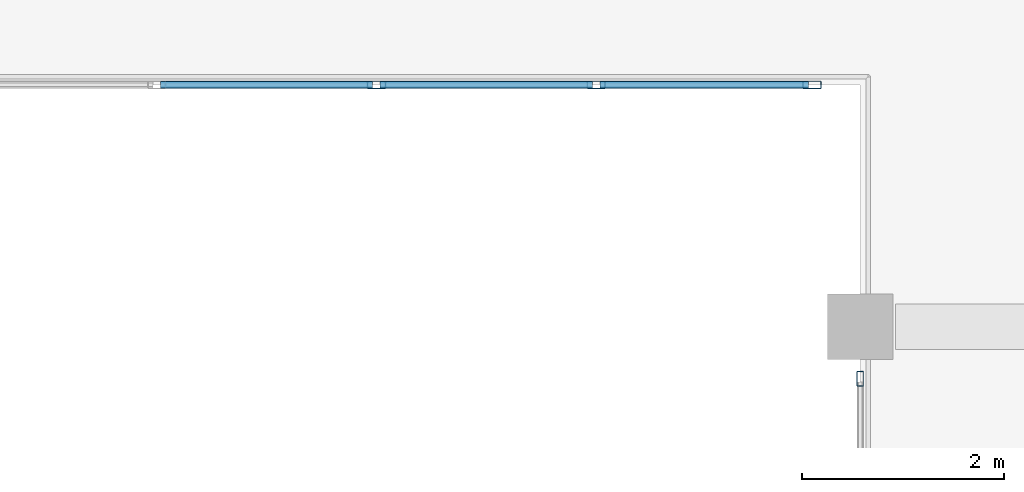
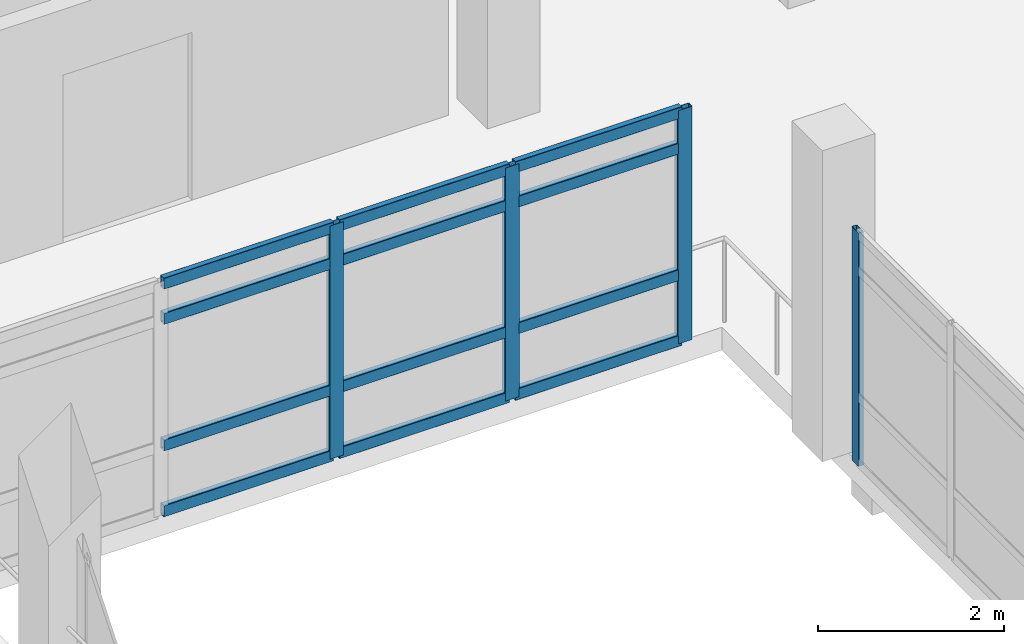
# One storey, part 70 of 134: 16 members, 2 elements without a shape of their own.
"""IFC4 building model written with IfcOpenShell, lengths in metres."""

import ifcopenshell
import ifcopenshell.guid

model = None  # the IFC model being written
_history = None  # IfcOwnerHistory: only IFC2X3 demands one
_inside = {}  # id of a spatial element -> (the spatial element, [elements in it])
_under = {}  # id of a project, library or spatial element -> (it, [spatial elements below it])
_declared = {}  # id of a project -> (the project, [libraries it declares])
_typed = {}  # id of a type object -> (the type object, [elements of that type])
_made_of = {}  # id of a material, layer set ... -> (it, [elements and type objects made of it])


def new_model(schema):
    """Start an empty IFC model of exactly this schema.

    Asked for "IFC4X3", IfcOpenShell would pick the latest addendum, in which some entities
    have other attributes; the version numbers below select the first issue.
    IFC2X3 requires an IfcOwnerHistory on every rooted entity: one is made here for all.
    """
    global model, _history
    if schema == "IFC4X3":
        model = ifcopenshell.file(schema_version=(4, 3, 0, 0))
    else:
        model = ifcopenshell.file(schema=schema)
    _inside.clear()
    _under.clear()
    _declared.clear()
    _typed.clear()
    _made_of.clear()
    _history = None
    if model.schema == "IFC2X3":
        org = make("IfcOrganization", Name="unknown")
        user = make(
            "IfcPersonAndOrganization",
            ThePerson=make("IfcPerson", FamilyName="unknown"),
            TheOrganization=org,
        )
        app = make(
            "IfcApplication",
            ApplicationDeveloper=org,
            Version="unknown",
            ApplicationFullName="unknown",
            ApplicationIdentifier="unknown",
        )
        _history = make(
            "IfcOwnerHistory",
            OwningUser=user,
            OwningApplication=app,
            ChangeAction="ADDED",
            CreationDate=0,
        )
    return model


def make(cls, **values):
    """One entity of the class cls with the attributes given. An attribute that is None is left unset."""
    return model.create_entity(
        cls, **{name: value for name, value in values.items() if value is not None}
    )


def rooted(cls, **values):
    """An entity with a GlobalId (a new one), such as an element, a storey or a relation."""
    return make(cls, GlobalId=ifcopenshell.guid.new(), OwnerHistory=_history, **values)


def si_unit(unit_type, name, prefix=None):
    """IfcSIUnit, for example si_unit("LENGTHUNIT", "METRE", prefix="MILLI")."""
    return make("IfcSIUnit", UnitType=unit_type, Prefix=prefix, Name=name)


def assignment(units):
    """IfcUnitAssignment: the units of a project."""
    return None if units is None else make("IfcUnitAssignment", Units=units)


def point(xyz):
    """IfcCartesianPoint."""
    return None if xyz is None else make("IfcCartesianPoint", Coordinates=xyz)


def direction(xyz):
    """IfcDirection."""
    return None if xyz is None else make("IfcDirection", DirectionRatios=xyz)


def frame(location, z_axis=None, x_axis=None):
    """IfcAxis2Placement3D, a coordinate frame: its origin and axes. An axis left out is left unset."""
    return make(
        "IfcAxis2Placement3D",
        Location=point(location),
        Axis=direction(z_axis),
        RefDirection=direction(x_axis),
    )


def frame_2d(location, x_axis=None):
    """IfcAxis2Placement2D, a coordinate frame in the plane: its origin and x axis."""
    return make(
        "IfcAxis2Placement2D", Location=point(location), RefDirection=direction(x_axis)
    )


def origin():
    """The frame at (0, 0, 0) with its axes left unset."""
    return frame((0.0, 0.0, 0.0))


def origin_2d():
    """The frame at (0, 0) in the plane with its x axis left unset."""
    return frame_2d((0.0, 0.0))


def place(relative_to, where):
    """IfcLocalPlacement: puts the frame where relative to a parent placement (None: the world)."""
    return make(
        "IfcLocalPlacement", PlacementRelTo=relative_to, RelativePlacement=where
    )


def context(
    kind, dimensions, precision=None, world=None, true_north=None, identifier=None
):
    """IfcGeometricRepresentationContext, for example the 3D "Model" context."""
    return make(
        "IfcGeometricRepresentationContext",
        ContextIdentifier=identifier,
        ContextType=kind,
        CoordinateSpaceDimension=dimensions,
        Precision=precision,
        WorldCoordinateSystem=world,
        TrueNorth=true_north,
    )


def subcontext(parent, identifier, kind, view, scale=None):
    """IfcGeometricRepresentationSubContext, for example "Body" below "Model"."""
    return make(
        "IfcGeometricRepresentationSubContext",
        ContextIdentifier=identifier,
        ContextType=kind,
        ParentContext=parent,
        TargetScale=scale,
        TargetView=view,
    )


def project(units=None, contexts=None):
    """IfcProject with its units and contexts."""
    return rooted(
        "IfcProject",
        Name="project",
        RepresentationContexts=contexts,
        UnitsInContext=assignment(units),
    )


def spatial(cls, under=None, at=None, **own):
    """A site, building, storey or space (cls), placed at a placement, below another one or the project."""
    s = rooted(cls, ObjectPlacement=at, **own)
    if under is not None:
        _under.setdefault(under.id(), (under, []))[1].append(s)
    return s


def profile(cls, at=None, kind="AREA", **sizes):
    """A parametric profile (cls). Its sizes go by their IFC names, for example OverallWidth=200.0."""
    return make(cls, ProfileType=kind, Position=at, **sizes)


def hollow_rectangle(**sizes):
    """IfcRectangleHollowProfileDef."""
    return profile("IfcRectangleHollowProfileDef", **sizes)


def extrude(swept, where, along, depth):
    """IfcExtrudedAreaSolid: the profile swept, set in the frame where, extruded along a direction by depth."""
    return make(
        "IfcExtrudedAreaSolid",
        SweptArea=swept,
        Position=where,
        ExtrudedDirection=direction(along),
        Depth=depth,
    )


def shape(context_of_items, identifier, shape_type, items):
    """IfcShapeRepresentation: the items that make up one representation, for example the "Body"."""
    return make(
        "IfcShapeRepresentation",
        ContextOfItems=context_of_items,
        RepresentationIdentifier=identifier,
        RepresentationType=shape_type,
        Items=items,
    )


def material(Name=None, Category=None):
    """IfcMaterial."""
    return make("IfcMaterial", Name=Name, Category=Category)


def layer(
    of_material, thickness, ventilated=None, Name=None, Category=None, Priority=None
):
    """IfcMaterialLayer: one layer of a wall or slab, of a material (None: an air gap)."""
    return make(
        "IfcMaterialLayer",
        Material=of_material,
        LayerThickness=thickness,
        IsVentilated=ventilated,
        Name=Name,
        Category=Category,
        Priority=Priority,
    )


def layer_set(layers, Name=None):
    """IfcMaterialLayerSet."""
    return make("IfcMaterialLayerSet", MaterialLayers=layers, LayerSetName=Name)


def material_profile(
    of_material, cross_section, Name=None, Category=None, Priority=None
):
    """IfcMaterialProfile: a cross section and its material."""
    return make(
        "IfcMaterialProfile",
        Name=Name,
        Material=of_material,
        Profile=cross_section,
        Priority=Priority,
        Category=Category,
    )


def profile_set(profiles, Name=None, composite=None):
    """IfcMaterialProfileSet."""
    return make(
        "IfcMaterialProfileSet",
        Name=Name,
        MaterialProfiles=profiles,
        CompositeProfile=composite,
    )


def made_of(thing, what):
    """Note that an element or type object is made of a material, layer set ...; save() writes the relation."""
    if what is not None:
        _made_of.setdefault(what.id(), (what, []))[1].append(thing)
    return thing


def type_object(cls, material=None, **own):
    """A type object (cls), such as IfcWallType, which elements share."""
    return made_of(rooted(cls, **own), material)


def element(
    cls,
    number,
    at=None,
    inside=None,
    cuts=None,
    type_object=None,
    material=None,
    context=None,
    identifier="Body",
    shape_type=None,
    held_by="IfcProductDefinitionShape",
    body=None,
    shapes=None,
    **own,
):
    """One element of the class cls, such as IfcWall. Its Tag is "e" and its number.

    at: its placement. inside: the storey or other place that contains it. cuts: it is an
    opening in that element (IfcRelVoidsElement). A single representation is given by context,
    identifier, shape_type and body (its items); several are given by shapes. held_by: the class
    of the entity that holds the representations. save() writes the other relations.
    """
    e = rooted(cls, Tag="e%d" % number, ObjectPlacement=at, **own)
    if body is not None:
        shapes = [shape(context, identifier, shape_type, body)]
    if shapes is not None:
        e.Representation = make(held_by, Representations=shapes)
    if inside is not None:
        _inside.setdefault(inside.id(), (inside, []))[1].append(e)
    if cuts is not None:
        rooted(
            "IfcRelVoidsElement", RelatingBuildingElement=cuts, RelatedOpeningElement=e
        )
    if type_object is not None:
        _typed.setdefault(type_object.id(), (type_object, []))[1].append(e)
    return made_of(e, material)


def aggregate(whole, parts):
    """IfcRelAggregates: a whole, such as a stair, and the parts it consists of."""
    return rooted("IfcRelAggregates", RelatingObject=whole, RelatedObjects=parts)


def save(model, path):
    """Write the relations noted so far, then the file.

    IfcRelAggregates (storeys below a building ...), IfcRelContainedInSpatialStructure (elements
    in a storey), IfcRelDefinesByType, IfcRelAssociatesMaterial and IfcRelDeclares: one each for
    every whole, place, type object, material and project.
    """
    for whole, parts in _under.values():
        aggregate(whole, parts)
    for where, things in _inside.values():
        rooted(
            "IfcRelContainedInSpatialStructure",
            RelatedElements=things,
            RelatingStructure=where,
        )
    for kind, things in _typed.values():
        rooted("IfcRelDefinesByType", RelatedObjects=things, RelatingType=kind)
    for what, things in _made_of.values():
        rooted("IfcRelAssociatesMaterial", RelatedObjects=things, RelatingMaterial=what)
    for by, libraries in _declared.values():
        rooted("IfcRelDeclares", RelatingContext=by, RelatedDefinitions=libraries)
    model.write(path)


model = new_model("IFC4")

# Units and contexts
model_context = context("Model", 3, precision=1e-05, world=origin(), true_north=direction((0.0, 1.0)))
body_context = subcontext(model_context, "Body", "Model", "MODEL_VIEW")
ifc_project = project(units=[si_unit("LENGTHUNIT", "METRE"), si_unit("AREAUNIT", "SQUARE_METRE"), si_unit("VOLUMEUNIT", "CUBIC_METRE"), si_unit("PLANEANGLEUNIT", "RADIAN"), si_unit("MASSUNIT", "GRAM", prefix="KILO")], contexts=[model_context])

# Site, building, storey
site_placement = place(None, origin())
site = spatial("IfcSite", under=ifc_project, at=site_placement, CompositionType="ELEMENT")
building_placement = place(site_placement, origin())
building = spatial("IfcBuilding", under=site, at=building_placement, Name="Asteropetra Specialist Clinic", CompositionType="ELEMENT")
storey_placement = place(building_placement, frame((0.0, 0.0, 8.5)))
storey = spatial("IfcBuildingStorey", under=building, at=storey_placement, Name="L02", CompositionType="ELEMENT", Elevation=8.5)

# Curtain wall, member
ifc_material_1 = material(Name="Aluminium and low-E glass", Category="aluminium")
ifc_layer_1 = layer(ifc_material_1, 0.135009765625)
ifc_layer_set_1 = layer_set([ifc_layer_1], Name="Aluminium and low-E glass")
curtain_wall_type_1 = type_object("IfcCurtainWallType", Name="CW-SYS-12", PredefinedType="USERDEFINED", material=ifc_layer_set_1)
curtain_wall_1_placement = place(storey_placement, origin())
curtain_wall_1 = element("IfcCurtainWall", 1, at=curtain_wall_1_placement, inside=storey, type_object=curtain_wall_type_1, Name="Curtain Wall CW-082", ObjectType="STICK GLAZED COLONNADE", PredefinedType="USERDEFINED")
ifc_material_2 = material(Name="Aluminium 6063-T6", Category="aluminium")
ifc_material_profile_1 = material_profile(ifc_material_2, hollow_rectangle(XDim=0.06494140625, YDim=0.14990234375, WallThickness=0.00390625, InnerFilletRadius=0.00390625, OuterFilletRadius=0.008056640625, at=origin_2d()), Name="MUL 150x65x4.0")
ifc_profile_set_1 = profile_set([ifc_material_profile_1], Name="Aluminium 6063-T6")
member_type_1 = type_object("IfcMemberType", Name="CWM-150x65", PredefinedType="MULLION", material=ifc_profile_set_1)
member_1_placement = place(storey_placement, frame((134.39990234375, 33.08251953125, 0.0), z_axis=(0.0, 0.0, 1.0), x_axis=(-1.0, 0.0, 0.0)))
member_1 = element("IfcMember", 2, at=member_1_placement, type_object=member_type_1, Name="CW-082 mullion 4", PredefinedType="MULLION", context=body_context, shape_type="SweptSolid", body=[
    extrude(hollow_rectangle(XDim=0.06494140625, YDim=0.14990234375, WallThickness=0.00390625, InnerFilletRadius=0.00390625, OuterFilletRadius=0.008056640625, at=origin_2d()), origin(), (0.0, 0.0, 1.0), 3.06005859375),
])
aggregate(curtain_wall_1, [member_1])

# Curtain wall, members
ifc_material_3 = material(Name="Aluminium and low-E glass", Category="aluminium")
ifc_layer_2 = layer(ifc_material_3, 0.135009765625)
ifc_layer_set_2 = layer_set([ifc_layer_2], Name="Aluminium and low-E glass")
curtain_wall_type_2 = type_object("IfcCurtainWallType", Name="CW-SYS-09", PredefinedType="USERDEFINED", material=ifc_layer_set_2)
curtain_wall_2_placement = place(storey_placement, origin())
curtain_wall_2 = element("IfcCurtainWall", 3, at=curtain_wall_2_placement, inside=storey, type_object=curtain_wall_type_2, Name="Curtain Wall CW-078", ObjectType="STICK GLAZED COLONNADE", PredefinedType="USERDEFINED")
ifc_material_4 = material(Name="Aluminium 6063-T6", Category="aluminium")
ifc_material_profile_2 = material_profile(ifc_material_4, hollow_rectangle(XDim=0.074951171875, YDim=0.179931640625, WallThickness=0.00390625, InnerFilletRadius=0.00390625, OuterFilletRadius=0.008056640625, at=origin_2d()), Name="MUL 180x75x4.0")
ifc_profile_set_2 = profile_set([ifc_material_profile_2], Name="Aluminium 6063-T6")
member_type_2 = type_object("IfcMemberType", Name="CWM-180x75", PredefinedType="MULLION", material=ifc_profile_set_2)
member_2_placement = place(storey_placement, frame((133.922607421875, 36.0, 0.0), z_axis=(0.0, 0.0, 1.0), x_axis=(0.0, -1.0, 0.0)))
member_2 = element("IfcMember", 4, at=member_2_placement, type_object=member_type_2, Name="CW-078 mullion 1", PredefinedType="MULLION", context=body_context, shape_type="SweptSolid", body=[
    extrude(hollow_rectangle(XDim=0.074951171875, YDim=0.179931640625, WallThickness=0.00390625, InnerFilletRadius=0.00390625, OuterFilletRadius=0.008056640625, at=origin_2d()), origin(), (0.0, 0.0, 1.0), 3.06005859375),
])
member_3_placement = place(storey_placement, frame((131.780029296875, 36.0, 0.0), z_axis=(0.0, 0.0, 1.0), x_axis=(0.0, -1.0, 0.0)))
member_3 = element("IfcMember", 5, at=member_3_placement, type_object=member_type_2, Name="CW-078 mullion 2", PredefinedType="MULLION", context=body_context, shape_type="SweptSolid", body=[
    extrude(hollow_rectangle(XDim=0.074951171875, YDim=0.179931640625, WallThickness=0.00390625, InnerFilletRadius=0.00390625, OuterFilletRadius=0.008056640625, at=origin_2d()), origin(), (0.0, 0.0, 1.0), 3.06005859375),
])
member_4_placement = place(storey_placement, frame((129.60009765625, 36.0, 0.0), z_axis=(0.0, 0.0, 1.0), x_axis=(0.0, -1.0, 0.0)))
member_4 = element("IfcMember", 6, at=member_4_placement, type_object=member_type_2, Name="CW-078 mullion 3", PredefinedType="MULLION", context=body_context, shape_type="SweptSolid", body=[
    extrude(hollow_rectangle(XDim=0.074951171875, YDim=0.179931640625, WallThickness=0.00390625, InnerFilletRadius=0.00390625, OuterFilletRadius=0.008056640625, at=origin_2d()), origin(), (0.0, 0.0, 1.0), 3.06005859375),
])
ifc_material_5 = material(Name="Aluminium 6063-T6", Category="aluminium")
ifc_material_profile_3 = material_profile(ifc_material_5, hollow_rectangle(XDim=0.074951171875, YDim=0.14990234375, WallThickness=0.00390625, InnerFilletRadius=0.00390625, OuterFilletRadius=0.008056640625, at=origin_2d()), Name="TRN 150x75x4.0")
ifc_profile_set_3 = profile_set([ifc_material_profile_3], Name="Aluminium 6063-T6")
member_type_3 = type_object("IfcMemberType", Name="CWT-150x75", PredefinedType="USERDEFINED", material=ifc_profile_set_3)
member_5_placement = place(storey_placement, frame((133.885009765625, 36.0, 0.03759765625), z_axis=(-1.0, 0.0, 0.0), x_axis=(0.0, -1.0, 0.0)))
member_5 = element("IfcMember", 7, at=member_5_placement, type_object=member_type_3, Name="CW-078 transom 1.1", ObjectType="TRANSOM", PredefinedType="USERDEFINED", context=body_context, shape_type="SweptSolid", body=[
    extrude(hollow_rectangle(XDim=0.074951171875, YDim=0.14990234375, WallThickness=0.00390625, InnerFilletRadius=0.00390625, OuterFilletRadius=0.008056640625, at=origin_2d()), origin(), (0.0, 0.0, 1.0), 2.067626953125),
])
member_6_placement = place(storey_placement, frame((133.885009765625, 36.0, 0.89990234375), z_axis=(-1.0, 0.0, 0.0), x_axis=(0.0, -1.0, 0.0)))
member_6 = element("IfcMember", 8, at=member_6_placement, type_object=member_type_3, Name="CW-078 transom 1.2", ObjectType="TRANSOM", PredefinedType="USERDEFINED", context=body_context, shape_type="SweptSolid", body=[
    extrude(hollow_rectangle(XDim=0.074951171875, YDim=0.14990234375, WallThickness=0.00390625, InnerFilletRadius=0.00390625, OuterFilletRadius=0.008056640625, at=origin_2d()), origin(), (0.0, 0.0, 1.0), 2.067626953125),
])
member_7_placement = place(storey_placement, frame((133.885009765625, 36.0, 2.56005859375), z_axis=(-1.0, 0.0, 0.0), x_axis=(0.0, -1.0, 0.0)))
member_7 = element("IfcMember", 9, at=member_7_placement, type_object=member_type_3, Name="CW-078 transom 1.3", ObjectType="TRANSOM", PredefinedType="USERDEFINED", context=body_context, shape_type="SweptSolid", body=[
    extrude(hollow_rectangle(XDim=0.074951171875, YDim=0.14990234375, WallThickness=0.00390625, InnerFilletRadius=0.00390625, OuterFilletRadius=0.008056640625, at=origin_2d()), origin(), (0.0, 0.0, 1.0), 2.067626953125),
])
member_8_placement = place(storey_placement, frame((133.885009765625, 36.0, 3.0224609375), z_axis=(-1.0, 0.0, 0.0), x_axis=(0.0, -1.0, 0.0)))
member_8 = element("IfcMember", 10, at=member_8_placement, type_object=member_type_3, Name="CW-078 transom 1.4", ObjectType="TRANSOM", PredefinedType="USERDEFINED", context=body_context, shape_type="SweptSolid", body=[
    extrude(hollow_rectangle(XDim=0.074951171875, YDim=0.14990234375, WallThickness=0.00390625, InnerFilletRadius=0.00390625, OuterFilletRadius=0.008056640625, at=origin_2d()), origin(), (0.0, 0.0, 1.0), 2.067626953125),
])
member_9_placement = place(storey_placement, frame((131.742431640625, 36.0, 0.03759765625), z_axis=(-1.0, 0.0, 0.0), x_axis=(0.0, -1.0, 0.0)))
member_9 = element("IfcMember", 11, at=member_9_placement, type_object=member_type_3, Name="CW-078 transom 2.1", ObjectType="TRANSOM", PredefinedType="USERDEFINED", context=body_context, shape_type="SweptSolid", body=[
    extrude(hollow_rectangle(XDim=0.074951171875, YDim=0.14990234375, WallThickness=0.00390625, InnerFilletRadius=0.00390625, OuterFilletRadius=0.008056640625, at=origin_2d()), origin(), (0.0, 0.0, 1.0), 2.10498046875),
])
member_10_placement = place(storey_placement, frame((131.742431640625, 36.0, 0.89990234375), z_axis=(-1.0, 0.0, 0.0), x_axis=(0.0, -1.0, 0.0)))
member_10 = element("IfcMember", 12, at=member_10_placement, type_object=member_type_3, Name="CW-078 transom 2.2", ObjectType="TRANSOM", PredefinedType="USERDEFINED", context=body_context, shape_type="SweptSolid", body=[
    extrude(hollow_rectangle(XDim=0.074951171875, YDim=0.14990234375, WallThickness=0.00390625, InnerFilletRadius=0.00390625, OuterFilletRadius=0.008056640625, at=origin_2d()), origin(), (0.0, 0.0, 1.0), 2.10498046875),
])
member_11_placement = place(storey_placement, frame((131.742431640625, 36.0, 2.56005859375), z_axis=(-1.0, 0.0, 0.0), x_axis=(0.0, -1.0, 0.0)))
member_11 = element("IfcMember", 13, at=member_11_placement, type_object=member_type_3, Name="CW-078 transom 2.3", ObjectType="TRANSOM", PredefinedType="USERDEFINED", context=body_context, shape_type="SweptSolid", body=[
    extrude(hollow_rectangle(XDim=0.074951171875, YDim=0.14990234375, WallThickness=0.00390625, InnerFilletRadius=0.00390625, OuterFilletRadius=0.008056640625, at=origin_2d()), origin(), (0.0, 0.0, 1.0), 2.10498046875),
])
member_12_placement = place(storey_placement, frame((131.742431640625, 36.0, 3.0224609375), z_axis=(-1.0, 0.0, 0.0), x_axis=(0.0, -1.0, 0.0)))
member_12 = element("IfcMember", 14, at=member_12_placement, type_object=member_type_3, Name="CW-078 transom 2.4", ObjectType="TRANSOM", PredefinedType="USERDEFINED", context=body_context, shape_type="SweptSolid", body=[
    extrude(hollow_rectangle(XDim=0.074951171875, YDim=0.14990234375, WallThickness=0.00390625, InnerFilletRadius=0.00390625, OuterFilletRadius=0.008056640625, at=origin_2d()), origin(), (0.0, 0.0, 1.0), 2.10498046875),
])
member_13_placement = place(storey_placement, frame((129.5625, 36.0, 0.03759765625), z_axis=(-1.0, 0.0, 0.0), x_axis=(0.0, -1.0, 0.0)))
member_13 = element("IfcMember", 15, at=member_13_placement, type_object=member_type_3, Name="CW-078 transom 3.1", ObjectType="TRANSOM", PredefinedType="USERDEFINED", context=body_context, shape_type="SweptSolid", body=[
    extrude(hollow_rectangle(XDim=0.074951171875, YDim=0.14990234375, WallThickness=0.00390625, InnerFilletRadius=0.00390625, OuterFilletRadius=0.008056640625, at=origin_2d()), origin(), (0.0, 0.0, 1.0), 2.10498046875),
])
member_14_placement = place(storey_placement, frame((129.5625, 36.0, 0.89990234375), z_axis=(-1.0, 0.0, 0.0), x_axis=(0.0, -1.0, 0.0)))
member_14 = element("IfcMember", 16, at=member_14_placement, type_object=member_type_3, Name="CW-078 transom 3.2", ObjectType="TRANSOM", PredefinedType="USERDEFINED", context=body_context, shape_type="SweptSolid", body=[
    extrude(hollow_rectangle(XDim=0.074951171875, YDim=0.14990234375, WallThickness=0.00390625, InnerFilletRadius=0.00390625, OuterFilletRadius=0.008056640625, at=origin_2d()), origin(), (0.0, 0.0, 1.0), 2.10498046875),
])
member_15_placement = place(storey_placement, frame((129.5625, 36.0, 2.56005859375), z_axis=(-1.0, 0.0, 0.0), x_axis=(0.0, -1.0, 0.0)))
member_15 = element("IfcMember", 17, at=member_15_placement, type_object=member_type_3, Name="CW-078 transom 3.3", ObjectType="TRANSOM", PredefinedType="USERDEFINED", context=body_context, shape_type="SweptSolid", body=[
    extrude(hollow_rectangle(XDim=0.074951171875, YDim=0.14990234375, WallThickness=0.00390625, InnerFilletRadius=0.00390625, OuterFilletRadius=0.008056640625, at=origin_2d()), origin(), (0.0, 0.0, 1.0), 2.10498046875),
])
member_16_placement = place(storey_placement, frame((129.5625, 36.0, 3.0224609375), z_axis=(-1.0, 0.0, 0.0), x_axis=(0.0, -1.0, 0.0)))
member_16 = element("IfcMember", 18, at=member_16_placement, type_object=member_type_3, Name="CW-078 transom 3.4", ObjectType="TRANSOM", PredefinedType="USERDEFINED", context=body_context, shape_type="SweptSolid", body=[
    extrude(hollow_rectangle(XDim=0.074951171875, YDim=0.14990234375, WallThickness=0.00390625, InnerFilletRadius=0.00390625, OuterFilletRadius=0.008056640625, at=origin_2d()), origin(), (0.0, 0.0, 1.0), 2.10498046875),
])
aggregate(curtain_wall_2, [member_2, member_3, member_4, member_5, member_6, member_7, member_8, member_9, member_10, member_11, member_12, member_13, member_14, member_15, member_16])

save(model, "model.ifc")
